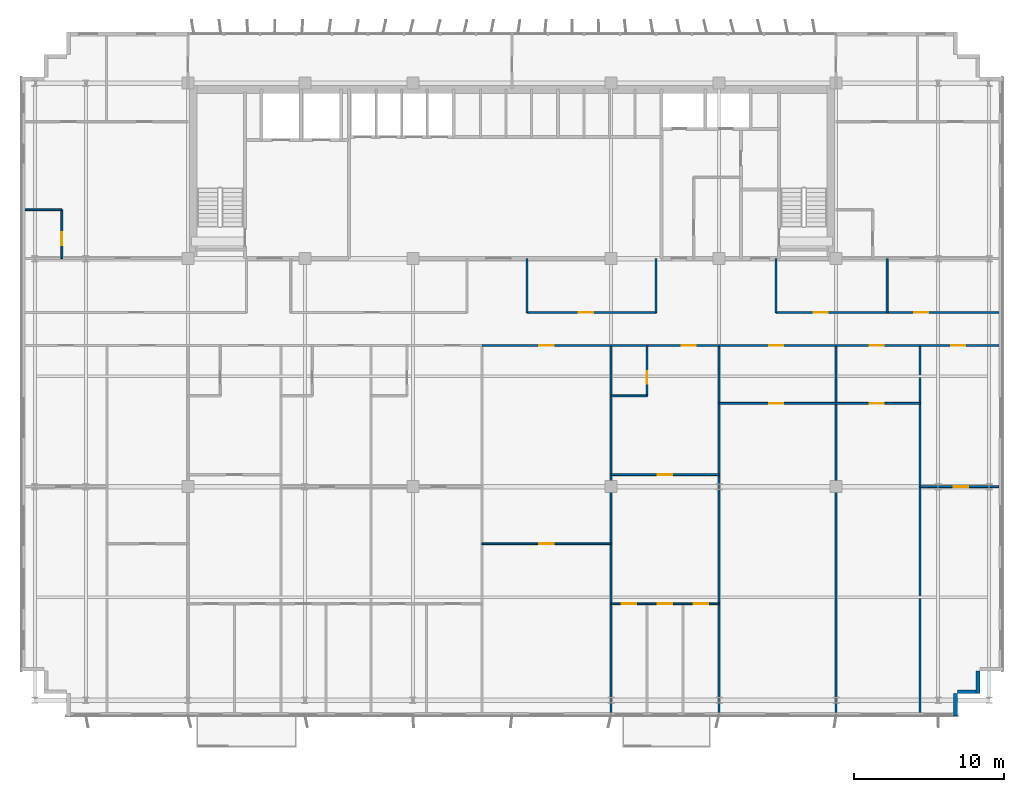
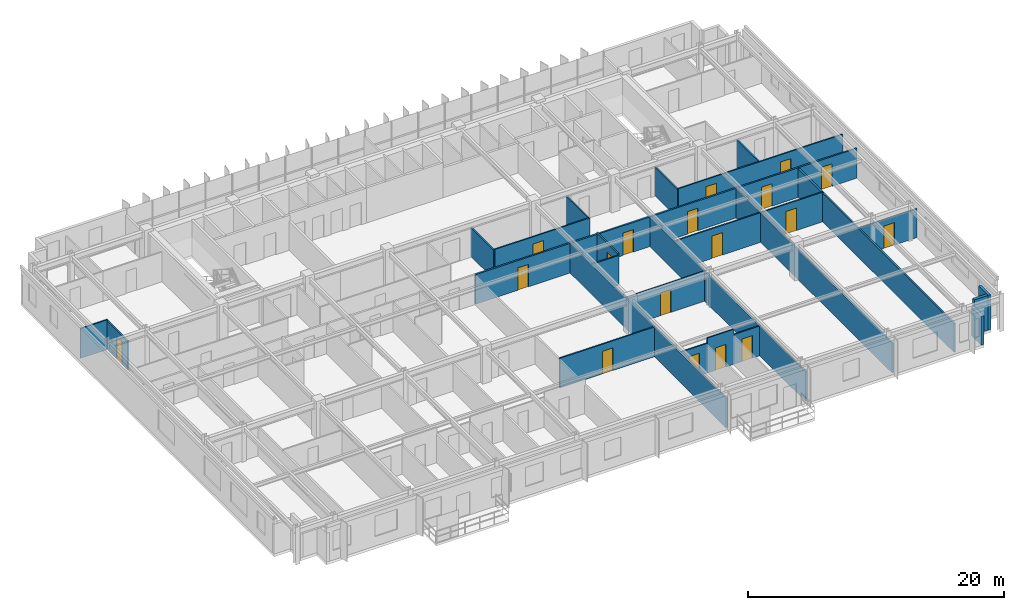
# One storey, part 16 of 22: 30 walls, 18 doors, 18 openings.
"""IFC4 building model written with IfcOpenShell, lengths in metres."""

from ifc_helpers import new_model, si_unit, direction, frame, frame_2d, origin, place, context, subcontext, project, spatial, rectangle, extrude, source, transform, mapped, material, layer, layer_set, type_object, element, fill, save


model = new_model("IFC4")

# Units and contexts
model_context = context("Model", 3, precision=1e-05, world=origin(), true_north=direction((0.0, 1.0)))
body_context = subcontext(model_context, "Body", "Model", "MODEL_VIEW")
ifc_project = project(units=[si_unit("LENGTHUNIT", "METRE"), si_unit("AREAUNIT", "SQUARE_METRE"), si_unit("VOLUMEUNIT", "CUBIC_METRE"), si_unit("PLANEANGLEUNIT", "RADIAN"), si_unit("MASSUNIT", "GRAM", prefix="KILO")], contexts=[model_context])

# Site, building, storey
site_placement = place(None, origin())
site = spatial("IfcSite", under=ifc_project, at=site_placement, CompositionType="ELEMENT")
building_placement = place(site_placement, origin())
building = spatial("IfcBuilding", under=site, at=building_placement, Name="Trelvane Seafront Commons", CompositionType="ELEMENT")
storey_placement = place(building_placement, frame((0.0, 0.0, 117.699951171875)))
storey = spatial("IfcBuildingStorey", under=building, at=storey_placement, Name="L30", CompositionType="ELEMENT", Elevation=117.699951171875)

# Walls
ifc_material_1 = material(Name="Precast concrete C40/50", Category="concrete")
ifc_layer_1 = layer(ifc_material_1, 0.260009765625, Name="ARCH-WALL-EXT260")
ifc_layer_set_1 = layer_set([ifc_layer_1], Name="Precast concrete C40/50")
wall_type_1 = type_object("IfcWallType", Name="ARCH-WALL-EXT260", PredefinedType="SOLIDWALL", material=ifc_layer_set_1)
for number, where, z_axis, x_axis, name in (
    (1, (68.27001953125, 5.89990234375, 0.0), (0.0, 0.0, 1.0), (0.0, -1.0, 0.0), "EW-L30-00575"),
    (2, (68.39990234375, 4.530029296875, 0.0), (0.0, 0.0, 1.0), (-1.0, 0.0, 0.0), "EW-L30-00576"),
):
    element("IfcWall", number, at=place(storey_placement, frame(where, z_axis=z_axis, x_axis=x_axis)), inside=storey, type_object=wall_type_1, Name=name, PredefinedType="SOLIDWALL", context=body_context, shape_type="SweptSolid", body=[
        extrude(rectangle(XDim=1.5, YDim=0.260009765625, at=frame_2d((0.75, 0.0))), origin(), (0.0, 0.0, 1.0), 3.340087890625),
    ])
wall_1_placement = place(storey_placement, frame((66.77001953125, 4.39990234375, 0.0), z_axis=(0.0, 0.0, 1.0), x_axis=(0.0, -1.0, 0.0)))
element("IfcWall", 3, at=wall_1_placement, inside=storey, type_object=wall_type_1, Name="EW-L30-00577", PredefinedType="SOLIDWALL", context=body_context, shape_type="SweptSolid", body=[
    extrude(rectangle(XDim=1.5, YDim=0.260009765625, at=frame_2d((0.75, 0.0))), origin(), (0.0, 0.0, 1.0), 2.751953125),
])

# Wall, opening, door
ifc_material_2 = material(Name="Gypsum Drywall Acoustic Partition")
ifc_layer_2 = layer(ifc_material_2, 0.1201171875, Name="ARCH-WALL-PART120")
ifc_layer_set_2 = layer_set([ifc_layer_2], Name="Gypsum Drywall Acoustic Partition")
wall_type_2 = type_object("IfcWallType", Name="ARCH-WALL-PART120", PredefinedType="PARTITIONING", material=ifc_layer_set_2)
wall_2_placement = place(storey_placement, frame((38.199951171875, 29.800048828125, 0.0), z_axis=(0.0, 0.0, 1.0), x_axis=(1.0, 0.0, 0.0)))
wall_2 = element("IfcWall", 4, at=wall_2_placement, inside=storey, type_object=wall_type_2, Name="W-L30-CORR-N-M2-040", PredefinedType="PARTITIONING", context=body_context, shape_type="SweptSolid", body=[
    extrude(rectangle(XDim=8.60009765625, YDim=0.1201171875, at=frame_2d((4.300048828125, 0.0))), origin(), (0.0, 0.0, 1.0), 2.840087890625),
])
opening_1_placement = place(wall_2_placement, frame((3.4619140625, 0.0, 0.0)))
opening_1 = element("IfcOpeningElement", 5, at=opening_1_placement, cuts=wall_2, Name="Opening D-L30-19", PredefinedType="OPENING", context=body_context, shape_type="SweptSolid", body=[
    extrude(rectangle(XDim=0.949951171875, YDim=2.14990234375, at=frame_2d((0.47509765625, 1.074951171875))), frame((0.0, 0.070068359375, 0.0), z_axis=(0.0, -1.0, 0.0), x_axis=(1.0, 0.0, 0.0)), (0.0, 0.0, 1.0), 0.14013671875),
])
ifc_material_3 = material(Name="Acoustic timber door leaf", Category="wood")
door_type_1 = type_object("IfcDoorType", Name="ARCH-DR-INT950", OperationType="NOTDEFINED", PredefinedType="DOOR", material=ifc_material_3)
shared_shape_1 = source(origin(), body_context, "Body", "SweptSolid", [
    extrude(rectangle(XDim=0.949951171875, YDim=2.14990234375, at=frame_2d((0.47509765625, 1.074951171875))), frame((0.0, 0.02490234375, 0.0), z_axis=(0.0, -1.0, 0.0), x_axis=(1.0, 0.0, 0.0)), (0.0, 0.0, 1.0), 0.050048828125),
])
door_1_placement = place(opening_1_placement, origin())
door_1 = element("IfcDoor", 6, at=door_1_placement, inside=storey, type_object=door_type_1, Name="L30 Door 19", OperationType="SINGLE_SWING_LEFT", OverallHeight=2.14990234375, OverallWidth=0.949951171875, PredefinedType="DOOR", context=body_context, shape_type="MappedRepresentation", body=[
    mapped(shared_shape_1, transform((0.0, 0.0, 0.0), x_axis=(1.0, 0.0, 0.0), y_axis=(0.0, 1.0, 0.0), z_axis=(0.0, 0.0, 1.0), scale=1.0)),
])
fill(opening_1, door_1)

# Wall, openings, doors
wall_3_placement = place(storey_placement, frame((54.800048828125, 29.800048828125, 0.0), z_axis=(0.0, 0.0, 1.0), x_axis=(1.0, 0.0, 0.0)))
wall_3 = element("IfcWall", 7, at=wall_3_placement, inside=storey, type_object=wall_type_2, Name="W-L30-CORR-N-E-041", PredefinedType="PARTITIONING", context=body_context, shape_type="SweptSolid", body=[
    extrude(rectangle(XDim=14.849853515625, YDim=0.1201171875, at=frame_2d((7.4248046875, 0.0))), origin(), (0.0, 0.0, 1.0), 2.840087890625),
])
opening_2_placement = place(wall_3_placement, frame((2.5, 0.0, 0.0)))
opening_2 = element("IfcOpeningElement", 8, at=opening_2_placement, cuts=wall_3, Name="Opening D-L30-20", PredefinedType="OPENING", context=body_context, shape_type="SweptSolid", body=[
    extrude(rectangle(XDim=0.949951171875, YDim=2.14990234375, at=frame_2d((0.47509765625, 1.074951171875))), frame((0.0, 0.070068359375, 0.0), z_axis=(0.0, -1.0, 0.0), x_axis=(1.0, 0.0, 0.0)), (0.0, 0.0, 1.0), 0.14013671875),
])
opening_3_placement = place(wall_3_placement, frame((9.199951171875, 0.0, 0.0)))
opening_3 = element("IfcOpeningElement", 9, at=opening_3_placement, cuts=wall_3, Name="Opening D-L30-21", PredefinedType="OPENING", context=body_context, shape_type="SweptSolid", body=[
    extrude(rectangle(XDim=0.949951171875, YDim=2.14990234375, at=frame_2d((0.47509765625, 1.074951171875))), frame((0.0, 0.070068359375, 0.0), z_axis=(0.0, -1.0, 0.0), x_axis=(1.0, 0.0, 0.0)), (0.0, 0.0, 1.0), 0.14013671875),
])
door_2_placement = place(opening_2_placement, origin())
door_2 = element("IfcDoor", 10, at=door_2_placement, inside=storey, type_object=door_type_1, Name="L30 Door 20", OperationType="SINGLE_SWING_RIGHT", OverallHeight=2.14990234375, OverallWidth=0.949951171875, PredefinedType="DOOR", context=body_context, shape_type="MappedRepresentation", body=[
    mapped(shared_shape_1, transform((0.0, 0.0, 0.0), x_axis=(1.0, 0.0, 0.0), y_axis=(0.0, 1.0, 0.0), z_axis=(0.0, 0.0, 1.0), scale=1.0)),
])
fill(opening_2, door_2)
door_3_placement = place(opening_3_placement, origin())
door_3 = element("IfcDoor", 11, at=door_3_placement, inside=storey, type_object=door_type_1, Name="L30 Door 21", OperationType="SINGLE_SWING_LEFT", OverallHeight=2.14990234375, OverallWidth=0.949951171875, PredefinedType="DOOR", context=body_context, shape_type="MappedRepresentation", body=[
    mapped(shared_shape_1, transform((0.0, 0.0, 0.0), x_axis=(1.0, 0.0, 0.0), y_axis=(0.0, 1.0, 0.0), z_axis=(0.0, 0.0, 1.0), scale=1.0)),
])
fill(opening_3, door_3)

# Walls
for number, where, z_axis, x_axis, name in (
    (12, (62.199951171875, 29.800048828125, 0.0), (0.0, 0.0, 1.0), (0.0, 1.0, 0.0), "W-L30-N-LAUN-DV-042"),
    (13, (38.199951171875, 29.800048828125, 0.0), (0.0, 0.0, 1.0), (0.0, 1.0, 0.0), "W-L30-N-SPUR-M2-046"),
    (14, (46.800048828125, 29.800048828125, 0.0), (0.0, 0.0, 1.0), (0.0, 1.0, 0.0), "W-L30-N-SPUR-E1-047"),
    (15, (54.800048828125, 29.800048828125, 0.0), (0.0, 0.0, 1.0), (0.0, 1.0, 0.0), "W-L30-N-SPUR-E2-048"),
):
    element("IfcWall", number, at=place(storey_placement, frame(where, z_axis=z_axis, x_axis=x_axis)), inside=storey, type_object=wall_type_2, Name=name, PredefinedType="PARTITIONING", context=body_context, shape_type="SweptSolid", body=[
        extrude(rectangle(XDim=3.599853515625, YDim=0.1201171875, at=frame_2d((1.7998046875, 0.0))), origin(), (0.0, 0.0, 1.0), 2.751953125),
    ])

# Wall, opening, door
wall_4_placement = place(storey_placement, frame((7.199951171875, 33.39990234375, 0.0), z_axis=(0.0, 0.0, 1.0), x_axis=(0.0, 1.0, 0.0)))
wall_4 = element("IfcWall", 16, at=wall_4_placement, inside=storey, type_object=wall_type_2, Name="W-L30-NW-BE-049", PredefinedType="PARTITIONING", context=body_context, shape_type="SweptSolid", body=[
    extrude(rectangle(XDim=3.25, YDim=0.1201171875, at=frame_2d((1.625, 0.0))), origin(), (0.0, 0.0, 1.0), 2.751953125),
])
opening_4_placement = place(wall_4_placement, frame((0.89990234375, 0.0, 0.0)))
opening_4 = element("IfcOpeningElement", 17, at=opening_4_placement, cuts=wall_4, Name="Opening D-L30-22", PredefinedType="OPENING", context=body_context, shape_type="SweptSolid", body=[
    extrude(rectangle(XDim=0.85009765625, YDim=2.10009765625, at=frame_2d((0.425048828125, 1.050048828125))), frame((0.0, 0.070068359375, 0.0), z_axis=(0.0, -1.0, 0.0), x_axis=(1.0, 0.0, 0.0)), (0.0, 0.0, 1.0), 0.14013671875),
])
door_type_2 = type_object("IfcDoorType", Name="ARCH-DR-INT850", OperationType="NOTDEFINED", PredefinedType="DOOR", material=ifc_material_3)
shared_shape_2 = source(origin(), body_context, "Body", "SweptSolid", [
    extrude(rectangle(XDim=0.85009765625, YDim=2.10009765625, at=frame_2d((0.425048828125, 1.050048828125))), frame((0.0, 0.02490234375, 0.0), z_axis=(0.0, -1.0, 0.0), x_axis=(1.0, 0.0, 0.0)), (0.0, 0.0, 1.0), 0.050048828125),
])
door_4_placement = place(opening_4_placement, origin())
door_4 = element("IfcDoor", 18, at=door_4_placement, inside=storey, type_object=door_type_2, Name="L30 Door 22", OperationType="SINGLE_SWING_RIGHT", OverallHeight=2.10009765625, OverallWidth=0.85009765625, PredefinedType="DOOR", context=body_context, shape_type="MappedRepresentation", body=[
    mapped(shared_shape_2, transform((0.0, 0.0, 0.0), x_axis=(1.0, 0.0, 0.0), y_axis=(0.0, 1.0, 0.0), z_axis=(0.0, 0.0, 1.0), scale=1.0)),
])
fill(opening_4, door_4)

# Wall
wall_5_placement = place(storey_placement, frame((4.75, 36.64990234375, 0.0), z_axis=(0.0, 0.0, 1.0), x_axis=(1.0, 0.0, 0.0)))
element("IfcWall", 19, at=wall_5_placement, inside=storey, type_object=wall_type_2, Name="W-L30-NW-BN-050", PredefinedType="PARTITIONING", context=body_context, shape_type="SweptSolid", body=[
    extrude(rectangle(XDim=2.449951171875, YDim=0.1201171875, at=frame_2d((1.22509765625, 0.0))), origin(), (0.0, 0.0, 1.0), 2.840087890625),
])

# Wall, opening, door
wall_6_placement = place(storey_placement, frame((35.199951171875, 14.39990234375, 0.0), z_axis=(0.0, 0.0, 1.0), x_axis=(1.0, 0.0, 0.0)))
wall_6 = element("IfcWall", 20, at=wall_6_placement, inside=storey, type_object=wall_type_2, Name="W-L30-U6-DIV-099", PredefinedType="PARTITIONING", context=body_context, shape_type="SweptSolid", body=[
    extrude(rectangle(XDim=8.60009765625, YDim=0.1201171875, at=frame_2d((4.300048828125, 0.0))), origin(), (0.0, 0.0, 1.0), 2.840087890625),
])
opening_5_placement = place(wall_6_placement, frame((3.824951171875, 0.0, 0.0)))
opening_5 = element("IfcOpeningElement", 21, at=opening_5_placement, cuts=wall_6, Name="Opening D-L30-53", PredefinedType="OPENING", context=body_context, shape_type="SweptSolid", body=[
    extrude(rectangle(XDim=0.949951171875, YDim=2.14990234375, at=frame_2d((0.47509765625, 1.074951171875))), frame((0.0, 0.070068359375, 0.0), z_axis=(0.0, -1.0, 0.0), x_axis=(1.0, 0.0, 0.0)), (0.0, 0.0, 1.0), 0.14013671875),
])
door_5_placement = place(opening_5_placement, origin())
door_5 = element("IfcDoor", 22, at=door_5_placement, inside=storey, type_object=door_type_1, Name="L30 Door 53", OperationType="SINGLE_SWING_LEFT", OverallHeight=2.14990234375, OverallWidth=0.949951171875, PredefinedType="DOOR", context=body_context, shape_type="MappedRepresentation", body=[
    mapped(shared_shape_1, transform((0.0, 0.0, 0.0), x_axis=(1.0, 0.0, 0.0), y_axis=(0.0, 1.0, 0.0), z_axis=(0.0, 0.0, 1.0), scale=1.0)),
])
fill(opening_5, door_5)

wall_7_placement = place(storey_placement, frame((43.800048828125, 19.0, 0.0), z_axis=(0.0, 0.0, 1.0), x_axis=(1.0, 0.0, 0.0)))
wall_7 = element("IfcWall", 23, at=wall_7_placement, inside=storey, type_object=wall_type_2, Name="W-L30-U7-KL-100", PredefinedType="PARTITIONING", context=body_context, shape_type="SweptSolid", body=[
    extrude(rectangle(XDim=7.199951171875, YDim=0.1201171875, at=frame_2d((3.60009765625, 0.0))), origin(), (0.0, 0.0, 1.0), 2.840087890625),
])
opening_6_placement = place(wall_7_placement, frame((3.125, 0.0, 0.0)))
opening_6 = element("IfcOpeningElement", 24, at=opening_6_placement, cuts=wall_7, Name="Opening D-L30-54", PredefinedType="OPENING", context=body_context, shape_type="SweptSolid", body=[
    extrude(rectangle(XDim=0.949951171875, YDim=2.14990234375, at=frame_2d((0.47509765625, 1.074951171875))), frame((0.0, 0.070068359375, 0.0), z_axis=(0.0, -1.0, 0.0), x_axis=(1.0, 0.0, 0.0)), (0.0, 0.0, 1.0), 0.14013671875),
])
door_6_placement = place(opening_6_placement, origin())
door_6 = element("IfcDoor", 25, at=door_6_placement, inside=storey, type_object=door_type_1, Name="L30 Door 54", OperationType="SINGLE_SWING_RIGHT", OverallHeight=2.14990234375, OverallWidth=0.949951171875, PredefinedType="DOOR", context=body_context, shape_type="MappedRepresentation", body=[
    mapped(shared_shape_1, transform((0.0, 0.0, 0.0), x_axis=(1.0, 0.0, 0.0), y_axis=(0.0, 1.0, 0.0), z_axis=(0.0, 0.0, 1.0), scale=1.0)),
])
fill(opening_6, door_6)

wall_8_placement = place(storey_placement, frame((46.199951171875, 24.25, 0.0), z_axis=(0.0, 0.0, 1.0), x_axis=(0.0, 1.0, 0.0)))
wall_8 = element("IfcWall", 26, at=wall_8_placement, inside=storey, type_object=wall_type_2, Name="W-L30-U7-BE-101", PredefinedType="PARTITIONING", context=body_context, shape_type="SweptSolid", body=[
    extrude(rectangle(XDim=3.35009765625, YDim=0.1201171875, at=frame_2d((1.675048828125, 0.0))), origin(), (0.0, 0.0, 1.0), 2.989990234375),
])
opening_7_placement = place(wall_8_placement, frame((0.800048828125, 0.0, 0.0)))
opening_7 = element("IfcOpeningElement", 27, at=opening_7_placement, cuts=wall_8, Name="Opening D-L30-55", PredefinedType="OPENING", context=body_context, shape_type="SweptSolid", body=[
    extrude(rectangle(XDim=0.85009765625, YDim=2.10009765625, at=frame_2d((0.425048828125, 1.050048828125))), frame((0.0, 0.070068359375, 0.0), z_axis=(0.0, -1.0, 0.0), x_axis=(1.0, 0.0, 0.0)), (0.0, 0.0, 1.0), 0.14013671875),
])
door_7_placement = place(opening_7_placement, origin())
door_7 = element("IfcDoor", 28, at=door_7_placement, inside=storey, type_object=door_type_2, Name="L30 Door 55", OperationType="SINGLE_SWING_LEFT", OverallHeight=2.10009765625, OverallWidth=0.85009765625, PredefinedType="DOOR", context=body_context, shape_type="MappedRepresentation", body=[
    mapped(shared_shape_2, transform((0.0, 0.0, 0.0), x_axis=(1.0, 0.0, 0.0), y_axis=(0.0, 1.0, 0.0), z_axis=(0.0, 0.0, 1.0), scale=1.0)),
])
fill(opening_7, door_7)

# Wall
wall_9_placement = place(storey_placement, frame((43.800048828125, 24.25, 0.0), z_axis=(0.0, 0.0, 1.0), x_axis=(1.0, 0.0, 0.0)))
element("IfcWall", 29, at=wall_9_placement, inside=storey, type_object=wall_type_2, Name="W-L30-U7-BS-102", PredefinedType="PARTITIONING", context=body_context, shape_type="SweptSolid", body=[
    extrude(rectangle(XDim=2.39990234375, YDim=0.1201171875, at=frame_2d((1.199951171875, 0.0))), origin(), (0.0, 0.0, 1.0), 2.840087890625),
])

# Wall, opening, door
wall_10_placement = place(storey_placement, frame((43.800048828125, 10.39990234375, 0.0), z_axis=(0.0, 0.0, 1.0), x_axis=(1.0, 0.0, 0.0)))
wall_10 = element("IfcWall", 30, at=wall_10_placement, inside=storey, type_object=wall_type_2, Name="W-L30-U7-YM-1-104", PredefinedType="PARTITIONING", context=body_context, shape_type="SweptSolid", body=[
    extrude(rectangle(XDim=2.39990234375, YDim=0.1201171875, at=frame_2d((1.199951171875, 0.0))), origin(), (0.0, 0.0, 1.0), 2.840087890625),
])
opening_8_placement = place(wall_10_placement, frame((0.72509765625, 0.0, 0.0)))
opening_8 = element("IfcOpeningElement", 31, at=opening_8_placement, cuts=wall_10, Name="Opening D-L30-57", PredefinedType="OPENING", context=body_context, shape_type="SweptSolid", body=[
    extrude(rectangle(XDim=0.949951171875, YDim=2.14990234375, at=frame_2d((0.47509765625, 1.074951171875))), frame((0.0, 0.070068359375, 0.0), z_axis=(0.0, -1.0, 0.0), x_axis=(1.0, 0.0, 0.0)), (0.0, 0.0, 1.0), 0.14013671875),
])
door_8_placement = place(opening_8_placement, origin())
door_8 = element("IfcDoor", 32, at=door_8_placement, inside=storey, type_object=door_type_1, Name="L30 Door 57", OperationType="SINGLE_SWING_LEFT", OverallHeight=2.14990234375, OverallWidth=0.949951171875, PredefinedType="DOOR", context=body_context, shape_type="MappedRepresentation", body=[
    mapped(shared_shape_1, transform((0.0, 0.0, 0.0), x_axis=(1.0, 0.0, 0.0), y_axis=(0.0, 1.0, 0.0), z_axis=(0.0, 0.0, 1.0), scale=1.0)),
])
fill(opening_8, door_8)

wall_11_placement = place(storey_placement, frame((46.199951171875, 10.39990234375, 0.0), z_axis=(0.0, 0.0, 1.0), x_axis=(1.0, 0.0, 0.0)))
wall_11 = element("IfcWall", 33, at=wall_11_placement, inside=storey, type_object=wall_type_2, Name="W-L30-U7-YM-2-105", PredefinedType="PARTITIONING", context=body_context, shape_type="SweptSolid", body=[
    extrude(rectangle(XDim=2.400146484375, YDim=0.1201171875, at=frame_2d((1.2001953125, 0.0))), origin(), (0.0, 0.0, 1.0), 3.340087890625),
])
opening_9_placement = place(wall_11_placement, frame((0.72509765625, 0.0, 0.0)))
opening_9 = element("IfcOpeningElement", 34, at=opening_9_placement, cuts=wall_11, Name="Opening D-L30-58", PredefinedType="OPENING", context=body_context, shape_type="SweptSolid", body=[
    extrude(rectangle(XDim=0.949951171875, YDim=2.14990234375, at=frame_2d((0.47509765625, 1.074951171875))), frame((0.0, 0.070068359375, 0.0), z_axis=(0.0, -1.0, 0.0), x_axis=(1.0, 0.0, 0.0)), (0.0, 0.0, 1.0), 0.14013671875),
])
door_9_placement = place(opening_9_placement, origin())
door_9 = element("IfcDoor", 35, at=door_9_placement, inside=storey, type_object=door_type_1, Name="L30 Door 58", OperationType="SINGLE_SWING_RIGHT", OverallHeight=2.14990234375, OverallWidth=0.949951171875, PredefinedType="DOOR", context=body_context, shape_type="MappedRepresentation", body=[
    mapped(shared_shape_1, transform((0.0, 0.0, 0.0), x_axis=(1.0, 0.0, 0.0), y_axis=(0.0, 1.0, 0.0), z_axis=(0.0, 0.0, 1.0), scale=1.0)),
])
fill(opening_9, door_9)

wall_12_placement = place(storey_placement, frame((48.60009765625, 10.39990234375, 0.0), z_axis=(0.0, 0.0, 1.0), x_axis=(1.0, 0.0, 0.0)))
wall_12 = element("IfcWall", 36, at=wall_12_placement, inside=storey, type_object=wall_type_2, Name="W-L30-U7-YM-3-107", PredefinedType="PARTITIONING", context=body_context, shape_type="SweptSolid", body=[
    extrude(rectangle(XDim=2.39990234375, YDim=0.1201171875, at=frame_2d((1.199951171875, 0.0))), origin(), (0.0, 0.0, 1.0), 2.840087890625),
])
opening_10_placement = place(wall_12_placement, frame((0.72509765625, 0.0, 0.0)))
opening_10 = element("IfcOpeningElement", 37, at=opening_10_placement, cuts=wall_12, Name="Opening D-L30-59", PredefinedType="OPENING", context=body_context, shape_type="SweptSolid", body=[
    extrude(rectangle(XDim=0.949951171875, YDim=2.14990234375, at=frame_2d((0.47509765625, 1.074951171875))), frame((0.0, 0.070068359375, 0.0), z_axis=(0.0, -1.0, 0.0), x_axis=(1.0, 0.0, 0.0)), (0.0, 0.0, 1.0), 0.14013671875),
])
door_10_placement = place(opening_10_placement, origin())
door_10 = element("IfcDoor", 38, at=door_10_placement, inside=storey, type_object=door_type_1, Name="L30 Door 59", OperationType="SINGLE_SWING_LEFT", OverallHeight=2.14990234375, OverallWidth=0.949951171875, PredefinedType="DOOR", context=body_context, shape_type="MappedRepresentation", body=[
    mapped(shared_shape_1, transform((0.0, 0.0, 0.0), x_axis=(1.0, 0.0, 0.0), y_axis=(0.0, 1.0, 0.0), z_axis=(0.0, 0.0, 1.0), scale=1.0)),
])
fill(opening_10, door_10)

wall_13_placement = place(storey_placement, frame((51.0, 23.75, 0.0), z_axis=(0.0, 0.0, 1.0), x_axis=(1.0, 0.0, 0.0)))
wall_13 = element("IfcWall", 39, at=wall_13_placement, inside=storey, type_object=wall_type_2, Name="W-L30-U8-DIV-110", PredefinedType="PARTITIONING", context=body_context, shape_type="SweptSolid", body=[
    extrude(rectangle(XDim=7.800048828125, YDim=0.1201171875, at=frame_2d((3.89990234375, 0.0))), origin(), (0.0, 0.0, 1.0), 2.840087890625),
])
opening_11_placement = place(wall_13_placement, frame((3.3330078125, 0.0, 0.0)))
opening_11 = element("IfcOpeningElement", 40, at=opening_11_placement, cuts=wall_13, Name="Opening D-L30-61", PredefinedType="OPENING", context=body_context, shape_type="SweptSolid", body=[
    extrude(rectangle(XDim=0.949951171875, YDim=2.14990234375, at=frame_2d((0.47509765625, 1.074951171875))), frame((0.0, 0.070068359375, 0.0), z_axis=(0.0, -1.0, 0.0), x_axis=(1.0, 0.0, 0.0)), (0.0, 0.0, 1.0), 0.14013671875),
])
door_11_placement = place(opening_11_placement, origin())
door_11 = element("IfcDoor", 41, at=door_11_placement, inside=storey, type_object=door_type_1, Name="L30 Door 61", OperationType="SINGLE_SWING_LEFT", OverallHeight=2.14990234375, OverallWidth=0.949951171875, PredefinedType="DOOR", context=body_context, shape_type="MappedRepresentation", body=[
    mapped(shared_shape_1, transform((0.0, 0.0, 0.0), x_axis=(1.0, 0.0, 0.0), y_axis=(0.0, 1.0, 0.0), z_axis=(0.0, 0.0, 1.0), scale=1.0)),
])
fill(opening_11, door_11)

wall_14_placement = place(storey_placement, frame((58.800048828125, 23.75, 0.0), z_axis=(0.0, 0.0, 1.0), x_axis=(1.0, 0.0, 0.0)))
wall_14 = element("IfcWall", 42, at=wall_14_placement, inside=storey, type_object=wall_type_2, Name="W-L30-U9-DIV-112", PredefinedType="PARTITIONING", context=body_context, shape_type="SweptSolid", body=[
    extrude(rectangle(XDim=5.599853515625, YDim=0.1201171875, at=frame_2d((2.7998046875, 0.0))), origin(), (0.0, 0.0, 1.0), 2.840087890625),
])
opening_12_placement = place(wall_14_placement, frame((2.23193359375, 0.0, 0.0)))
opening_12 = element("IfcOpeningElement", 43, at=opening_12_placement, cuts=wall_14, Name="Opening D-L30-63", PredefinedType="OPENING", context=body_context, shape_type="SweptSolid", body=[
    extrude(rectangle(XDim=0.949951171875, YDim=2.14990234375, at=frame_2d((0.47509765625, 1.074951171875))), frame((0.0, 0.070068359375, 0.0), z_axis=(0.0, -1.0, 0.0), x_axis=(1.0, 0.0, 0.0)), (0.0, 0.0, 1.0), 0.14013671875),
])
door_12_placement = place(opening_12_placement, origin())
door_12 = element("IfcDoor", 44, at=door_12_placement, inside=storey, type_object=door_type_1, Name="L30 Door 63", OperationType="SINGLE_SWING_LEFT", OverallHeight=2.14990234375, OverallWidth=0.949951171875, PredefinedType="DOOR", context=body_context, shape_type="MappedRepresentation", body=[
    mapped(shared_shape_1, transform((0.0, 0.0, 0.0), x_axis=(1.0, 0.0, 0.0), y_axis=(0.0, 1.0, 0.0), z_axis=(0.0, 0.0, 1.0), scale=1.0)),
])
fill(opening_12, door_12)

wall_15_placement = place(storey_placement, frame((64.39990234375, 18.199951171875, 0.0), z_axis=(0.0, 0.0, 1.0), x_axis=(1.0, 0.0, 0.0)))
wall_15 = element("IfcWall", 45, at=wall_15_placement, inside=storey, type_object=wall_type_2, Name="W-L30-U10-DIV-114", PredefinedType="PARTITIONING", context=body_context, shape_type="SweptSolid", body=[
    extrude(rectangle(XDim=5.255126953125, YDim=0.1201171875, at=frame_2d((2.62744140625, 0.0))), origin(), (0.0, 0.0, 1.0), 2.751953125),
])
opening_13_placement = place(wall_15_placement, frame((2.24609375, 0.0, 0.0)))
opening_13 = element("IfcOpeningElement", 46, at=opening_13_placement, cuts=wall_15, Name="Opening D-L30-65", PredefinedType="OPENING", context=body_context, shape_type="SweptSolid", body=[
    extrude(rectangle(XDim=0.949951171875, YDim=2.14990234375, at=frame_2d((0.47509765625, 1.074951171875))), frame((0.0, 0.070068359375, 0.0), z_axis=(0.0, -1.0, 0.0), x_axis=(1.0, 0.0, 0.0)), (0.0, 0.0, 1.0), 0.14013671875),
])
door_13_placement = place(opening_13_placement, origin())
door_13 = element("IfcDoor", 47, at=door_13_placement, inside=storey, type_object=door_type_1, Name="L30 Door 65", OperationType="SINGLE_SWING_LEFT", OverallHeight=2.14990234375, OverallWidth=0.949951171875, PredefinedType="DOOR", context=body_context, shape_type="MappedRepresentation", body=[
    mapped(shared_shape_1, transform((0.0, 0.0, 0.0), x_axis=(1.0, 0.0, 0.0), y_axis=(0.0, 1.0, 0.0), z_axis=(0.0, 0.0, 1.0), scale=1.0)),
])
fill(opening_13, door_13)

# Walls
ifc_layer_3 = layer(ifc_material_2, 0.14990234375, Name="ARCH-WALL-PART150")
ifc_layer_set_3 = layer_set([ifc_layer_3], Name="Gypsum Drywall Acoustic Partition")
wall_type_3 = type_object("IfcWallType", Name="ARCH-WALL-PART150", PredefinedType="PARTITIONING", material=ifc_layer_set_3)
for number, where, z_axis, x_axis, name in (
    (48, (43.800048828125, 3.14501953125, 0.0), (0.0, 0.0, 1.0), (0.0, 1.0, 0.0), "W-L30-PW-6-069"),
    (49, (51.0, 3.14501953125, 0.0), (0.0, 0.0, 1.0), (0.0, 1.0, 0.0), "W-L30-PW-7-070"),
    (50, (58.800048828125, 3.14501953125, 0.0), (0.0, 0.0, 1.0), (0.0, 1.0, 0.0), "W-L30-PW-8-071"),
):
    element("IfcWall", number, at=place(storey_placement, frame(where, z_axis=z_axis, x_axis=x_axis)), inside=storey, type_object=wall_type_3, Name=name, PredefinedType="PARTITIONING", context=body_context, shape_type="SweptSolid", body=[
        extrude(rectangle(XDim=24.455078125, YDim=0.14990234375, at=frame_2d((12.2275390625, 0.0))), origin(), (0.0, 0.0, 1.0), 2.840087890625),
    ])
wall_16_placement = place(storey_placement, frame((64.39990234375, 3.14501953125, 0.0), z_axis=(0.0, 0.0, 1.0), x_axis=(0.0, 1.0, 0.0)))
element("IfcWall", 51, at=wall_16_placement, inside=storey, type_object=wall_type_3, Name="W-L30-PW-9-072", PredefinedType="PARTITIONING", context=body_context, shape_type="SweptSolid", body=[
    extrude(rectangle(XDim=24.455078125, YDim=0.14990234375, at=frame_2d((12.2275390625, 0.0))), origin(), (0.0, 0.0, 1.0), 2.751953125),
])

# Wall, opening, door
wall_17_placement = place(storey_placement, frame((35.199951171875, 27.60009765625, 0.0), z_axis=(0.0, 0.0, 1.0), x_axis=(1.0, 0.0, 0.0)))
wall_17 = element("IfcWall", 52, at=wall_17_placement, inside=storey, type_object=wall_type_3, Name="W-L30-CS-BAY-6-098", PredefinedType="PARTITIONING", context=body_context, shape_type="SweptSolid", body=[
    extrude(rectangle(XDim=8.60009765625, YDim=0.14990234375, at=frame_2d((4.300048828125, 0.0))), origin(), (0.0, 0.0, 1.0), 2.840087890625),
])
opening_14_placement = place(wall_17_placement, frame((3.824951171875, 0.0, 0.0)))
opening_14 = element("IfcOpeningElement", 53, at=opening_14_placement, cuts=wall_17, Name="Opening FD-L30-52", PredefinedType="OPENING", context=body_context, shape_type="SweptSolid", body=[
    extrude(rectangle(XDim=0.949951171875, YDim=2.14990234375, at=frame_2d((0.47509765625, 1.074951171875))), frame((0.0, 0.0849609375, 0.0), z_axis=(0.0, -1.0, 0.0), x_axis=(1.0, 0.0, 0.0)), (0.0, 0.0, 1.0), 0.169921875),
])
ifc_material_4 = material(Name="Powder-coated aluminium frame", Category="aluminium")
door_type_3 = type_object("IfcDoorType", Name="ARCH-DR-FD60-950", OperationType="NOTDEFINED", PredefinedType="DOOR", material=ifc_material_4)
door_14_placement = place(opening_14_placement, origin())
door_14 = element("IfcDoor", 54, at=door_14_placement, inside=storey, type_object=door_type_3, Name="L30 Bay 06 Entrance Door", OperationType="SINGLE_SWING_RIGHT", OverallHeight=2.14990234375, OverallWidth=0.949951171875, PredefinedType="DOOR", context=body_context, shape_type="MappedRepresentation", body=[
    mapped(shared_shape_1, transform((0.0, 0.0, 0.0), x_axis=(1.0, 0.0, 0.0), y_axis=(0.0, 1.0, 0.0), z_axis=(0.0, 0.0, 1.0), scale=1.0)),
])
fill(opening_14, door_14)

wall_18_placement = place(storey_placement, frame((43.800048828125, 27.60009765625, 0.0), z_axis=(0.0, 0.0, 1.0), x_axis=(1.0, 0.0, 0.0)))
wall_18 = element("IfcWall", 55, at=wall_18_placement, inside=storey, type_object=wall_type_3, Name="W-L30-CS-BAY-7-103", PredefinedType="PARTITIONING", context=body_context, shape_type="SweptSolid", body=[
    extrude(rectangle(XDim=7.199951171875, YDim=0.14990234375, at=frame_2d((3.60009765625, 0.0))), origin(), (0.0, 0.0, 1.0), 2.840087890625),
])
opening_15_placement = place(wall_18_placement, frame((4.7060546875, 0.0, 0.0)))
opening_15 = element("IfcOpeningElement", 56, at=opening_15_placement, cuts=wall_18, Name="Opening FD-L30-56", PredefinedType="OPENING", context=body_context, shape_type="SweptSolid", body=[
    extrude(rectangle(XDim=0.949951171875, YDim=2.14990234375, at=frame_2d((0.47509765625, 1.074951171875))), frame((0.0, 0.0849609375, 0.0), z_axis=(0.0, -1.0, 0.0), x_axis=(1.0, 0.0, 0.0)), (0.0, 0.0, 1.0), 0.169921875),
])
door_15_placement = place(opening_15_placement, origin())
door_15 = element("IfcDoor", 57, at=door_15_placement, inside=storey, type_object=door_type_3, Name="L30 Unit 07 Entrance Door", OperationType="SINGLE_SWING_RIGHT", OverallHeight=2.14990234375, OverallWidth=0.949951171875, PredefinedType="DOOR", context=body_context, shape_type="MappedRepresentation", body=[
    mapped(shared_shape_1, transform((0.0, 0.0, 0.0), x_axis=(1.0, 0.0, 0.0), y_axis=(0.0, 1.0, 0.0), z_axis=(0.0, 0.0, 1.0), scale=1.0)),
])
fill(opening_15, door_15)

wall_19_placement = place(storey_placement, frame((51.0, 27.60009765625, 0.0), z_axis=(0.0, 0.0, 1.0), x_axis=(1.0, 0.0, 0.0)))
wall_19 = element("IfcWall", 58, at=wall_19_placement, inside=storey, type_object=wall_type_3, Name="W-L30-CS-BAY-8-109", PredefinedType="PARTITIONING", context=body_context, shape_type="SweptSolid", body=[
    extrude(rectangle(XDim=7.800048828125, YDim=0.14990234375, at=frame_2d((3.89990234375, 0.0))), origin(), (0.0, 0.0, 1.0), 2.840087890625),
])
opening_16_placement = place(wall_19_placement, frame((3.3330078125, 0.0, 0.0)))
opening_16 = element("IfcOpeningElement", 59, at=opening_16_placement, cuts=wall_19, Name="Opening FD-L30-60", PredefinedType="OPENING", context=body_context, shape_type="SweptSolid", body=[
    extrude(rectangle(XDim=0.949951171875, YDim=2.14990234375, at=frame_2d((0.47509765625, 1.074951171875))), frame((0.0, 0.0849609375, 0.0), z_axis=(0.0, -1.0, 0.0), x_axis=(1.0, 0.0, 0.0)), (0.0, 0.0, 1.0), 0.169921875),
])
door_16_placement = place(opening_16_placement, origin())
door_16 = element("IfcDoor", 60, at=door_16_placement, inside=storey, type_object=door_type_3, Name="L30 Bay 08 Entrance Door", OperationType="SINGLE_SWING_RIGHT", OverallHeight=2.14990234375, OverallWidth=0.949951171875, PredefinedType="DOOR", context=body_context, shape_type="MappedRepresentation", body=[
    mapped(shared_shape_1, transform((0.0, 0.0, 0.0), x_axis=(1.0, 0.0, 0.0), y_axis=(0.0, 1.0, 0.0), z_axis=(0.0, 0.0, 1.0), scale=1.0)),
])
fill(opening_16, door_16)

wall_20_placement = place(storey_placement, frame((58.800048828125, 27.60009765625, 0.0), z_axis=(0.0, 0.0, 1.0), x_axis=(1.0, 0.0, 0.0)))
wall_20 = element("IfcWall", 61, at=wall_20_placement, inside=storey, type_object=wall_type_3, Name="W-L30-CS-BAY-9-111", PredefinedType="PARTITIONING", context=body_context, shape_type="SweptSolid", body=[
    extrude(rectangle(XDim=5.599853515625, YDim=0.14990234375, at=frame_2d((2.7998046875, 0.0))), origin(), (0.0, 0.0, 1.0), 2.840087890625),
])
opening_17_placement = place(wall_20_placement, frame((2.23193359375, 0.0, 0.0)))
opening_17 = element("IfcOpeningElement", 62, at=opening_17_placement, cuts=wall_20, Name="Opening FD-L30-62", PredefinedType="OPENING", context=body_context, shape_type="SweptSolid", body=[
    extrude(rectangle(XDim=0.949951171875, YDim=2.14990234375, at=frame_2d((0.47509765625, 1.074951171875))), frame((0.0, 0.0849609375, 0.0), z_axis=(0.0, -1.0, 0.0), x_axis=(1.0, 0.0, 0.0)), (0.0, 0.0, 1.0), 0.169921875),
])
door_17_placement = place(opening_17_placement, origin())
door_17 = element("IfcDoor", 63, at=door_17_placement, inside=storey, type_object=door_type_3, Name="L30 Bay 09 Entrance Door", OperationType="SINGLE_SWING_RIGHT", OverallHeight=2.14990234375, OverallWidth=0.949951171875, PredefinedType="DOOR", context=body_context, shape_type="MappedRepresentation", body=[
    mapped(shared_shape_1, transform((0.0, 0.0, 0.0), x_axis=(1.0, 0.0, 0.0), y_axis=(0.0, 1.0, 0.0), z_axis=(0.0, 0.0, 1.0), scale=1.0)),
])
fill(opening_17, door_17)

wall_21_placement = place(storey_placement, frame((64.39990234375, 27.60009765625, 0.0), z_axis=(0.0, 0.0, 1.0), x_axis=(1.0, 0.0, 0.0)))
wall_21 = element("IfcWall", 64, at=wall_21_placement, inside=storey, type_object=wall_type_3, Name="W-L30-CS-BAY-10-113", PredefinedType="PARTITIONING", context=body_context, shape_type="SweptSolid", body=[
    extrude(rectangle(XDim=5.255126953125, YDim=0.14990234375, at=frame_2d((2.62744140625, 0.0))), origin(), (0.0, 0.0, 1.0), 2.840087890625),
])
opening_18_placement = place(wall_21_placement, frame((2.05908203125, 0.0, 0.0)))
opening_18 = element("IfcOpeningElement", 65, at=opening_18_placement, cuts=wall_21, Name="Opening FD-L30-64", PredefinedType="OPENING", context=body_context, shape_type="SweptSolid", body=[
    extrude(rectangle(XDim=0.949951171875, YDim=2.14990234375, at=frame_2d((0.47509765625, 1.074951171875))), frame((0.0, 0.0849609375, 0.0), z_axis=(0.0, -1.0, 0.0), x_axis=(1.0, 0.0, 0.0)), (0.0, 0.0, 1.0), 0.169921875),
])
door_18_placement = place(opening_18_placement, origin())
door_18 = element("IfcDoor", 66, at=door_18_placement, inside=storey, type_object=door_type_3, Name="L30 Bay 10 Entrance Door", OperationType="SINGLE_SWING_RIGHT", OverallHeight=2.14990234375, OverallWidth=0.949951171875, PredefinedType="DOOR", context=body_context, shape_type="MappedRepresentation", body=[
    mapped(shared_shape_1, transform((0.0, 0.0, 0.0), x_axis=(1.0, 0.0, 0.0), y_axis=(0.0, 1.0, 0.0), z_axis=(0.0, 0.0, 1.0), scale=1.0)),
])
fill(opening_18, door_18)

save(model, "model.ifc")
